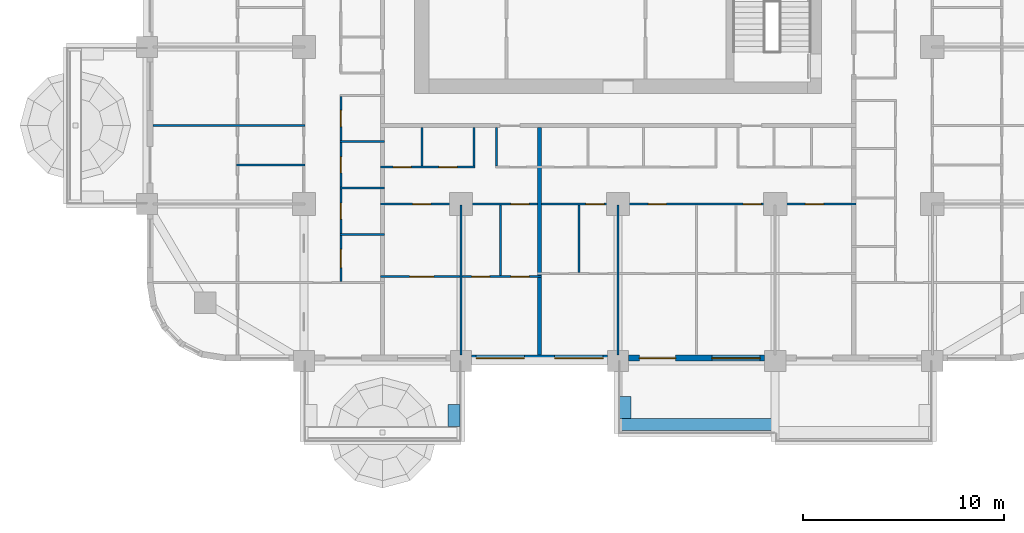
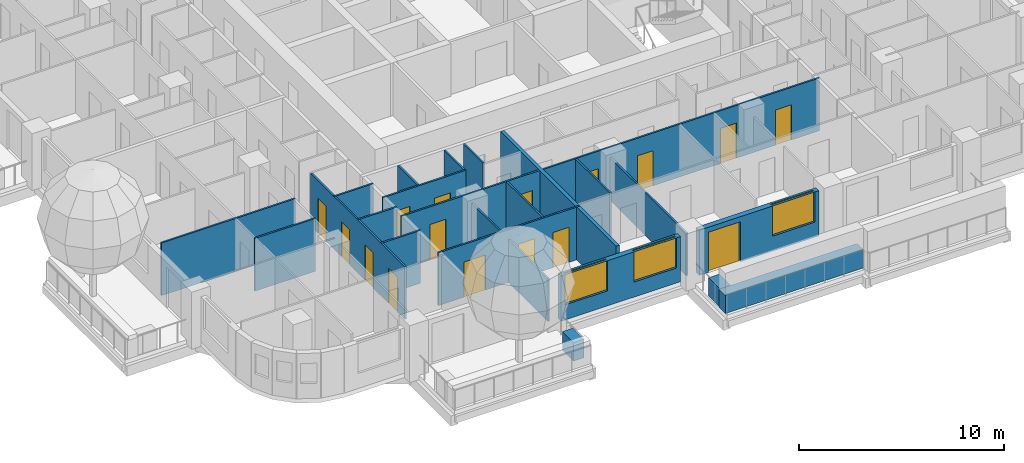
# One storey, part 3 of 19: 22 walls, 16 doors, 3 windows, 19 openings.
"""IFC4 building model written with IfcOpenShell, lengths in metres."""

from ifc_helpers import new_model, si_unit, direction, frame, frame_2d, origin, place, context, subcontext, project, spatial, rectangle, extrude, material, layer, layer_set, type_object, element, fill, save


model = new_model("IFC4")

# Units and contexts
model_context = context("Model", 3, precision=1e-05, world=origin(), true_north=direction((0.0, 1.0)))
body_context = subcontext(model_context, "Body", "Model", "MODEL_VIEW")
ifc_project = project(units=[si_unit("LENGTHUNIT", "METRE"), si_unit("AREAUNIT", "SQUARE_METRE"), si_unit("VOLUMEUNIT", "CUBIC_METRE"), si_unit("PLANEANGLEUNIT", "RADIAN"), si_unit("MASSUNIT", "GRAM", prefix="KILO")], contexts=[model_context])

# Site, building, storey
site_placement = place(None, origin())
site = spatial("IfcSite", under=ifc_project, at=site_placement, CompositionType="ELEMENT")
building_placement = place(site_placement, origin())
building = spatial("IfcBuilding", under=site, at=building_placement, Name="Ludao Terraces", CompositionType="ELEMENT")
storey_placement = place(building_placement, frame((0.0, 0.0, 36.5)))
storey = spatial("IfcBuildingStorey", under=building, at=storey_placement, Name="L09", CompositionType="ELEMENT", Elevation=36.5)

# Walls
ifc_material_1 = material(Name="Concrete C40", Category="concrete")
ifc_layer_1 = layer(ifc_material_1, 0.60009765625)
ifc_layer_set_1 = layer_set([ifc_layer_1], Name="ENV Planter trough 600")
wall_type_1 = type_object("IfcWallType", Name="ENV Planter trough 600", PredefinedType="USERDEFINED", material=ifc_layer_set_1)
wall_1_placement = place(storey_placement, frame((76.85009765625, 38.35009765625, 0.0), z_axis=(0.0, 0.0, 1.0), x_axis=(0.0, 1.0, 0.0)))
element("IfcWall", 1, at=wall_1_placement, inside=storey, type_object=wall_type_1, Name="PL-L09-S1-SB", ObjectType="PLANTER", PredefinedType="USERDEFINED", context=body_context, shape_type="SweptSolid", body=[
    extrude(rectangle(XDim=1.099853515625, YDim=0.60009765625, at=frame_2d((0.5498046875, 0.0))), origin(), (0.0, 0.0, 1.0), 1.10009765625),
])
wall_2_placement = place(storey_placement, frame((85.0, 38.449951171875, 0.0), z_axis=(0.0, 0.0, 1.0), x_axis=(1.0, 0.0, 0.0)))
element("IfcWall", 2, at=wall_2_placement, inside=storey, type_object=wall_type_1, Name="PL-L09-S3", ObjectType="PLANTER", PredefinedType="USERDEFINED", context=body_context, shape_type="SweptSolid", body=[
    extrude(rectangle(XDim=7.800048828125, YDim=0.60009765625, at=frame_2d((3.89990234375, 0.0))), origin(), (0.0, 0.0, 1.0), 1.10009765625),
])
wall_3_placement = place(storey_placement, frame((85.35009765625, 38.75, 0.0), z_axis=(0.0, 0.0, 1.0), x_axis=(0.0, 1.0, 0.0)))
element("IfcWall", 3, at=wall_3_placement, inside=storey, type_object=wall_type_1, Name="PL-L09-S3-SA", ObjectType="PLANTER", PredefinedType="USERDEFINED", context=body_context, shape_type="SweptSolid", body=[
    extrude(rectangle(XDim=1.10009765625, YDim=0.60009765625, at=frame_2d((0.550048828125, 0.0))), origin(), (0.0, 0.0, 1.0), 1.10009765625),
])

# Wall, openings, windows
ifc_material_2 = material(Name="Granite cladding", Category="masonry")
ifc_layer_2 = layer(ifc_material_2, 0.0400390625, Category="stone")
ifc_material_3 = material(Name="Mineral wool")
ifc_layer_3 = layer(ifc_material_3, 0.06005859375)
ifc_layer_4 = layer(ifc_material_1, 0.199951171875, Category="concrete")
ifc_layer_set_2 = layer_set([ifc_layer_2, ifc_layer_3, ifc_layer_4], Name="ENV Stone-clad wall 300")
wall_type_2 = type_object("IfcWallType", Name="ENV Stone-clad wall 300", PredefinedType="SOLIDWALL", material=ifc_layer_set_2)
wall_4_placement = place(storey_placement, frame((77.72509765625, 41.75, 0.0), z_axis=(0.0, 0.0, 1.0), x_axis=(1.0, 0.0, 0.0)))
wall_4 = element("IfcWall", 4, at=wall_4_placement, inside=storey, type_object=wall_type_2, Name="EW-L09-S3", PredefinedType="SOLIDWALL", context=body_context, shape_type="SweptSolid", body=[
    extrude(rectangle(XDim=6.75, YDim=0.300048828125, at=frame_2d((3.375, 0.0))), origin(), (0.0, 0.0, 1.0), 2.699951171875),
])
opening_1_placement = place(wall_4_placement, frame((0.22509765625, 0.0, 0.89990234375)))
opening_1 = element("IfcOpeningElement", 5, at=opening_1_placement, cuts=wall_4, Name="Opening W1", PredefinedType="OPENING", context=body_context, shape_type="SweptSolid", body=[
    extrude(rectangle(XDim=2.39990234375, YDim=1.800048828125, at=frame_2d((1.199951171875, 0.89990234375))), frame((0.0, 0.16015625, 0.0), z_axis=(0.0, -1.0, 0.0), x_axis=(1.0, 0.0, 0.0)), (0.0, 0.0, 1.0), 0.320068359375),
])
opening_2_placement = place(wall_4_placement, frame((4.125, 0.0, 0.89990234375)))
opening_2 = element("IfcOpeningElement", 6, at=opening_2_placement, cuts=wall_4, Name="Opening W1", PredefinedType="OPENING", context=body_context, shape_type="SweptSolid", body=[
    extrude(rectangle(XDim=2.39990234375, YDim=1.800048828125, at=frame_2d((1.199951171875, 0.89990234375))), frame((0.0, 0.16015625, 0.0), z_axis=(0.0, -1.0, 0.0), x_axis=(1.0, 0.0, 0.0)), (0.0, 0.0, 1.0), 0.320068359375),
])
ifc_material_4 = material(Name="Clear glass in aluminium frame", Category="aluminium")
ifc_layer_5 = layer(ifc_material_4, 0.06005859375)
ifc_layer_set_3 = layer_set([ifc_layer_5], Name="ENV Window W1 2400x1800")
window_type = type_object("IfcWindowType", Name="ENV Window W1 2400x1800", PartitioningType="DOUBLE_PANEL_VERTICAL", PredefinedType="WINDOW", material=ifc_layer_set_3)
window_1_placement = place(opening_1_placement, origin())
window_1 = element("IfcWindow", 7, at=window_1_placement, inside=storey, type_object=window_type, Name="W-L09-S3-1", OverallHeight=1.800048828125, OverallWidth=2.39990234375, PartitioningType="DOUBLE_PANEL_VERTICAL", PredefinedType="WINDOW", context=body_context, shape_type="SweptSolid", body=[
    extrude(rectangle(XDim=2.39990234375, YDim=1.800048828125, at=frame_2d((1.199951171875, 0.89990234375))), frame((0.0, 0.030029296875, 0.0), z_axis=(0.0, -1.0, 0.0), x_axis=(1.0, 0.0, 0.0)), (0.0, 0.0, 1.0), 0.06005859375),
])
fill(opening_1, window_1)
window_2_placement = place(opening_2_placement, origin())
window_2 = element("IfcWindow", 8, at=window_2_placement, inside=storey, type_object=window_type, Name="W-L09-S3-2", OverallHeight=1.800048828125, OverallWidth=2.39990234375, PartitioningType="DOUBLE_PANEL_VERTICAL", PredefinedType="WINDOW", context=body_context, shape_type="SweptSolid", body=[
    extrude(rectangle(XDim=2.39990234375, YDim=1.800048828125, at=frame_2d((1.199951171875, 0.89990234375))), frame((0.0, 0.030029296875, 0.0), z_axis=(0.0, -1.0, 0.0), x_axis=(1.0, 0.0, 0.0)), (0.0, 0.0, 1.0), 0.06005859375),
])
fill(opening_2, window_2)

# Wall, openings, door, window
wall_5_placement = place(storey_placement, frame((85.52490234375, 41.75, 0.0), z_axis=(0.0, 0.0, 1.0), x_axis=(1.0, 0.0, 0.0)))
wall_5 = element("IfcWall", 9, at=wall_5_placement, inside=storey, type_object=wall_type_2, Name="EW-L09-S4", PredefinedType="SOLIDWALL", context=body_context, shape_type="SweptSolid", body=[
    extrude(rectangle(XDim=6.75, YDim=0.300048828125, at=frame_2d((3.375, 0.0))), origin(), (0.0, 0.0, 1.0), 2.699951171875),
])
opening_3_placement = place(wall_5_placement, frame((0.52490234375, 0.0, 0.0)))
opening_3 = element("IfcOpeningElement", 10, at=opening_3_placement, cuts=wall_5, Name="Opening BD", PredefinedType="OPENING", context=body_context, shape_type="SweptSolid", body=[
    extrude(rectangle(XDim=1.800048828125, YDim=2.39990234375, at=frame_2d((0.89990234375, 1.199951171875))), frame((0.0, 0.16015625, 0.0), z_axis=(0.0, -1.0, 0.0), x_axis=(1.0, 0.0, 0.0)), (0.0, 0.0, 1.0), 0.320068359375),
])
opening_4_placement = place(wall_5_placement, frame((4.125, 0.0, 0.89990234375)))
opening_4 = element("IfcOpeningElement", 11, at=opening_4_placement, cuts=wall_5, Name="Opening W1", PredefinedType="OPENING", context=body_context, shape_type="SweptSolid", body=[
    extrude(rectangle(XDim=2.39990234375, YDim=1.800048828125, at=frame_2d((1.199951171875, 0.89990234375))), frame((0.0, 0.16015625, 0.0), z_axis=(0.0, -1.0, 0.0), x_axis=(1.0, 0.0, 0.0)), (0.0, 0.0, 1.0), 0.320068359375),
])
ifc_material_5 = material(Name="Aluminium glazed door", Category="aluminium")
ifc_layer_6 = layer(ifc_material_5, 0.06005859375)
ifc_layer_set_4 = layer_set([ifc_layer_6], Name="ENV Balcony door BD 1800x2400")
door_type_1 = type_object("IfcDoorType", Name="ENV Balcony door BD 1800x2400", OperationType="DOUBLE_DOOR_SINGLE_SWING", PredefinedType="DOOR", material=ifc_layer_set_4)
door_1_placement = place(opening_3_placement, origin())
door_1 = element("IfcDoor", 12, at=door_1_placement, inside=storey, type_object=door_type_1, Name="BD-L09-S4-1", OperationType="DOUBLE_DOOR_SINGLE_SWING", OverallHeight=2.39990234375, OverallWidth=1.800048828125, PredefinedType="DOOR", context=body_context, shape_type="SweptSolid", body=[
    extrude(rectangle(XDim=1.800048828125, YDim=2.39990234375, at=frame_2d((0.89990234375, 1.199951171875))), frame((0.0, 0.02490234375, 0.0), z_axis=(0.0, -1.0, 0.0), x_axis=(1.0, 0.0, 0.0)), (0.0, 0.0, 1.0), 0.050048828125),
])
fill(opening_3, door_1)
window_3_placement = place(opening_4_placement, origin())
window_3 = element("IfcWindow", 13, at=window_3_placement, inside=storey, type_object=window_type, Name="W-L09-S4-2", OverallHeight=1.800048828125, OverallWidth=2.39990234375, PartitioningType="DOUBLE_PANEL_VERTICAL", PredefinedType="WINDOW", context=body_context, shape_type="SweptSolid", body=[
    extrude(rectangle(XDim=2.39990234375, YDim=1.800048828125, at=frame_2d((1.199951171875, 0.89990234375))), frame((0.0, 0.030029296875, 0.0), z_axis=(0.0, -1.0, 0.0), x_axis=(1.0, 0.0, 0.0)), (0.0, 0.0, 1.0), 0.06005859375),
])
fill(opening_4, window_3)

# Wall, openings, doors
ifc_material_6 = material(Name="Gypsum plasterboard", Category="gypsum")
ifc_layer_7 = layer(ifc_material_6, 0.012451171875, Category="gypsum")
ifc_layer_8 = layer(ifc_material_3, 0.06005859375, Name="insulation")
ifc_material_7 = material(Name="Steel Q235", Category="steel")
ifc_layer_9 = layer(ifc_material_7, 0.014892578125, Name="stud")
ifc_layer_10 = layer(ifc_material_6, 0.012451171875, Category="gypsum")
ifc_layer_set_5 = layer_set([ifc_layer_7, ifc_layer_8, ifc_layer_9, ifc_layer_10], Name="INT Partition 100")
wall_type_3 = type_object("IfcWallType", Name="INT Partition 100", PredefinedType="PARTITIONING", material=ifc_layer_set_5)
wall_6_placement = place(storey_placement, frame((73.2001953125, 45.800048828125, 0.0), z_axis=(0.0, 0.0, 1.0), x_axis=(1.0, 0.0, 0.0)))
wall_6 = element("IfcWall", 14, at=wall_6_placement, inside=storey, type_object=wall_type_3, Name="PW-L09-PW002", PredefinedType="PARTITIONING", context=body_context, shape_type="SweptSolid", body=[
    extrude(rectangle(XDim=8.0, YDim=0.10009765625, at=frame_2d((4.0, 0.0))), origin(), (0.0, 0.0, 1.0), 3.14990234375),
])
opening_5_placement = place(wall_6_placement, frame((1.449951171875, 0.0, 0.0)))
opening_5 = element("IfcOpeningElement", 15, at=opening_5_placement, cuts=wall_6, Name="Opening R02-007", PredefinedType="OPENING", context=body_context, shape_type="SweptSolid", body=[
    extrude(rectangle(XDim=1.199951171875, YDim=2.10009765625, at=frame_2d((0.60009765625, 1.050048828125))), frame((0.0, 0.06005859375, 0.0), z_axis=(0.0, -1.0, 0.0), x_axis=(1.0, 0.0, 0.0)), (0.0, 0.0, 1.0), 0.1201171875),
])
opening_6_placement = place(wall_6_placement, frame((4.52490234375, 0.0, 0.0)))
opening_6 = element("IfcOpeningElement", 16, at=opening_6_placement, cuts=wall_6, Name="Opening R02-008", PredefinedType="OPENING", context=body_context, shape_type="SweptSolid", body=[
    extrude(rectangle(XDim=0.89990234375, YDim=2.10009765625, at=frame_2d((0.449951171875, 1.050048828125))), frame((0.0, 0.06005859375, 0.0), z_axis=(0.0, -1.0, 0.0), x_axis=(1.0, 0.0, 0.0)), (0.0, 0.0, 1.0), 0.1201171875),
])
opening_7_placement = place(wall_6_placement, frame((6.474853515625, 0.0, 0.0)))
opening_7 = element("IfcOpeningElement", 17, at=opening_7_placement, cuts=wall_6, Name="Opening R02-009", PredefinedType="OPENING", context=body_context, shape_type="SweptSolid", body=[
    extrude(rectangle(XDim=0.89990234375, YDim=2.10009765625, at=frame_2d((0.449951171875, 1.050048828125))), frame((0.0, 0.06005859375, 0.0), z_axis=(0.0, -1.0, 0.0), x_axis=(1.0, 0.0, 0.0)), (0.0, 0.0, 1.0), 0.1201171875),
])
ifc_material_8 = material(Name="Timber door leaf", Category="wood")
door_type_2 = type_object("IfcDoorType", Name="INT Bathroom door 900", OperationType="SINGLE_SWING_LEFT", PredefinedType="DOOR", material=ifc_material_8)
door_2_placement = place(opening_6_placement, origin())
door_2 = element("IfcDoor", 18, at=door_2_placement, inside=storey, type_object=door_type_2, Name="DOOR 008", OperationType="SINGLE_SWING_LEFT", OverallHeight=2.10009765625, OverallWidth=0.89990234375, PredefinedType="DOOR", context=body_context, shape_type="SweptSolid", body=[
    extrude(rectangle(XDim=0.89990234375, YDim=2.10009765625, at=frame_2d((0.449951171875, 1.050048828125))), frame((0.0, 0.02490234375, 0.0), z_axis=(0.0, -1.0, 0.0), x_axis=(1.0, 0.0, 0.0)), (0.0, 0.0, 1.0), 0.050048828125),
])
fill(opening_6, door_2)
door_type_3 = type_object("IfcDoorType", Name="INT Double door 1200", OperationType="DOUBLE_DOOR_SINGLE_SWING", PredefinedType="DOOR", material=ifc_material_8)
door_3_placement = place(opening_5_placement, origin())
door_3 = element("IfcDoor", 19, at=door_3_placement, inside=storey, type_object=door_type_3, Name="DOOR 007", OperationType="DOUBLE_DOOR_SINGLE_SWING", OverallHeight=2.10009765625, OverallWidth=1.199951171875, PredefinedType="DOOR", context=body_context, shape_type="SweptSolid", body=[
    extrude(rectangle(XDim=1.199951171875, YDim=2.10009765625, at=frame_2d((0.60009765625, 1.050048828125))), frame((0.0, 0.02490234375, 0.0), z_axis=(0.0, -1.0, 0.0), x_axis=(1.0, 0.0, 0.0)), (0.0, 0.0, 1.0), 0.050048828125),
])
fill(opening_5, door_3)
door_type_4 = type_object("IfcDoorType", Name="INT Room door 900", OperationType="SINGLE_SWING_LEFT", PredefinedType="DOOR", material=ifc_material_8)
door_4_placement = place(opening_7_placement, origin())
door_4 = element("IfcDoor", 20, at=door_4_placement, inside=storey, type_object=door_type_4, Name="DOOR 009", OperationType="SINGLE_SWING_LEFT", OverallHeight=2.10009765625, OverallWidth=0.89990234375, PredefinedType="DOOR", context=body_context, shape_type="SweptSolid", body=[
    extrude(rectangle(XDim=0.89990234375, YDim=2.10009765625, at=frame_2d((0.449951171875, 1.050048828125))), frame((0.0, 0.02490234375, 0.0), z_axis=(0.0, -1.0, 0.0), x_axis=(1.0, 0.0, 0.0)), (0.0, 0.0, 1.0), 0.050048828125),
])
fill(opening_7, door_4)

# Wall
wall_7_placement = place(storey_placement, frame((71.18017578125, 47.89990234375, 0.0), z_axis=(0.0, 0.0, 1.0), x_axis=(1.0, 0.0, 0.0)))
element("IfcWall", 21, at=wall_7_placement, inside=storey, type_object=wall_type_3, Name="PW-L09-PW005", PredefinedType="PARTITIONING", context=body_context, shape_type="SweptSolid", body=[
    extrude(rectangle(XDim=2.219970703125, YDim=0.10009765625, at=frame_2d((1.10986328125, 0.0))), origin(), (0.0, 0.0, 1.0), 3.14990234375),
])

# Wall, openings, doors
wall_8_placement = place(storey_placement, frame((73.2001953125, 49.39990234375, 0.0), z_axis=(0.0, 0.0, 1.0), x_axis=(1.0, 0.0, 0.0)))
wall_8 = element("IfcWall", 22, at=wall_8_placement, inside=storey, type_object=wall_type_3, Name="PW-L09-PW007", PredefinedType="PARTITIONING", context=body_context, shape_type="SweptSolid", body=[
    extrude(rectangle(XDim=23.599853515625, YDim=0.10009765625, at=frame_2d((11.7998046875, 0.0))), origin(), (0.0, 0.0, 1.0), 3.14990234375),
])
opening_8_placement = place(wall_8_placement, frame((1.599853515625, 0.0, 0.0)))
opening_8 = element("IfcOpeningElement", 23, at=opening_8_placement, cuts=wall_8, Name="Opening R02-024", PredefinedType="OPENING", context=body_context, shape_type="SweptSolid", body=[
    extrude(rectangle(XDim=0.89990234375, YDim=2.10009765625, at=frame_2d((0.449951171875, 1.050048828125))), frame((0.0, 0.06005859375, 0.0), z_axis=(0.0, -1.0, 0.0), x_axis=(1.0, 0.0, 0.0)), (0.0, 0.0, 1.0), 0.1201171875),
])
opening_9_placement = place(wall_8_placement, frame((6.474853515625, 0.0, 0.0)))
opening_9 = element("IfcOpeningElement", 24, at=opening_9_placement, cuts=wall_8, Name="Opening R02-025", PredefinedType="OPENING", context=body_context, shape_type="SweptSolid", body=[
    extrude(rectangle(XDim=0.89990234375, YDim=2.10009765625, at=frame_2d((0.449951171875, 1.050048828125))), frame((0.0, 0.06005859375, 0.0), z_axis=(0.0, -1.0, 0.0), x_axis=(1.0, 0.0, 0.0)), (0.0, 0.0, 1.0), 0.1201171875),
])
opening_10_placement = place(wall_8_placement, frame((10.199951171875, 0.0, 0.0)))
opening_10 = element("IfcOpeningElement", 25, at=opening_10_placement, cuts=wall_8, Name="Opening R02-026", PredefinedType="OPENING", context=body_context, shape_type="SweptSolid", body=[
    extrude(rectangle(XDim=0.89990234375, YDim=2.10009765625, at=frame_2d((0.449951171875, 1.050048828125))), frame((0.0, 0.06005859375, 0.0), z_axis=(0.0, -1.0, 0.0), x_axis=(1.0, 0.0, 0.0)), (0.0, 0.0, 1.0), 0.1201171875),
])
opening_11_placement = place(wall_8_placement, frame((13.2998046875, 0.0, 0.0)))
opening_11 = element("IfcOpeningElement", 26, at=opening_11_placement, cuts=wall_8, Name="Opening R02-027", PredefinedType="OPENING", context=body_context, shape_type="SweptSolid", body=[
    extrude(rectangle(XDim=0.89990234375, YDim=2.10009765625, at=frame_2d((0.449951171875, 1.050048828125))), frame((0.0, 0.06005859375, 0.0), z_axis=(0.0, -1.0, 0.0), x_axis=(1.0, 0.0, 0.0)), (0.0, 0.0, 1.0), 0.1201171875),
])
opening_12_placement = place(wall_8_placement, frame((18.0, 0.0, 0.0)))
opening_12 = element("IfcOpeningElement", 27, at=opening_12_placement, cuts=wall_8, Name="Opening R02-028", PredefinedType="OPENING", context=body_context, shape_type="SweptSolid", body=[
    extrude(rectangle(XDim=0.89990234375, YDim=2.10009765625, at=frame_2d((0.449951171875, 1.050048828125))), frame((0.0, 0.06005859375, 0.0), z_axis=(0.0, -1.0, 0.0), x_axis=(1.0, 0.0, 0.0)), (0.0, 0.0, 1.0), 0.1201171875),
])
opening_13_placement = place(wall_8_placement, frame((21.099853515625, 0.0, 0.0)))
opening_13 = element("IfcOpeningElement", 28, at=opening_13_placement, cuts=wall_8, Name="Opening R02-029", PredefinedType="OPENING", context=body_context, shape_type="SweptSolid", body=[
    extrude(rectangle(XDim=0.89990234375, YDim=2.10009765625, at=frame_2d((0.449951171875, 1.050048828125))), frame((0.0, 0.06005859375, 0.0), z_axis=(0.0, -1.0, 0.0), x_axis=(1.0, 0.0, 0.0)), (0.0, 0.0, 1.0), 0.1201171875),
])
door_5_placement = place(opening_8_placement, origin())
door_5 = element("IfcDoor", 29, at=door_5_placement, inside=storey, type_object=door_type_4, Name="DOOR 024", OperationType="SINGLE_SWING_RIGHT", OverallHeight=2.10009765625, OverallWidth=0.89990234375, PredefinedType="DOOR", context=body_context, shape_type="SweptSolid", body=[
    extrude(rectangle(XDim=0.89990234375, YDim=2.10009765625, at=frame_2d((0.449951171875, 1.050048828125))), frame((0.0, 0.02490234375, 0.0), z_axis=(0.0, -1.0, 0.0), x_axis=(1.0, 0.0, 0.0)), (0.0, 0.0, 1.0), 0.050048828125),
])
fill(opening_8, door_5)
door_6_placement = place(opening_9_placement, origin())
door_6 = element("IfcDoor", 30, at=door_6_placement, inside=storey, type_object=door_type_4, Name="DOOR 025", OperationType="SINGLE_SWING_LEFT", OverallHeight=2.10009765625, OverallWidth=0.89990234375, PredefinedType="DOOR", context=body_context, shape_type="SweptSolid", body=[
    extrude(rectangle(XDim=0.89990234375, YDim=2.10009765625, at=frame_2d((0.449951171875, 1.050048828125))), frame((0.0, 0.02490234375, 0.0), z_axis=(0.0, -1.0, 0.0), x_axis=(1.0, 0.0, 0.0)), (0.0, 0.0, 1.0), 0.050048828125),
])
fill(opening_9, door_6)
door_7_placement = place(opening_10_placement, origin())
door_7 = element("IfcDoor", 31, at=door_7_placement, inside=storey, type_object=door_type_4, Name="DOOR 026", OperationType="SINGLE_SWING_RIGHT", OverallHeight=2.10009765625, OverallWidth=0.89990234375, PredefinedType="DOOR", context=body_context, shape_type="SweptSolid", body=[
    extrude(rectangle(XDim=0.89990234375, YDim=2.10009765625, at=frame_2d((0.449951171875, 1.050048828125))), frame((0.0, 0.02490234375, 0.0), z_axis=(0.0, -1.0, 0.0), x_axis=(1.0, 0.0, 0.0)), (0.0, 0.0, 1.0), 0.050048828125),
])
fill(opening_10, door_7)
door_8_placement = place(opening_11_placement, origin())
door_8 = element("IfcDoor", 32, at=door_8_placement, inside=storey, type_object=door_type_4, Name="DOOR 027", OperationType="SINGLE_SWING_LEFT", OverallHeight=2.10009765625, OverallWidth=0.89990234375, PredefinedType="DOOR", context=body_context, shape_type="SweptSolid", body=[
    extrude(rectangle(XDim=0.89990234375, YDim=2.10009765625, at=frame_2d((0.449951171875, 1.050048828125))), frame((0.0, 0.02490234375, 0.0), z_axis=(0.0, -1.0, 0.0), x_axis=(1.0, 0.0, 0.0)), (0.0, 0.0, 1.0), 0.050048828125),
])
fill(opening_11, door_8)
door_9_placement = place(opening_12_placement, origin())
door_9 = element("IfcDoor", 33, at=door_9_placement, inside=storey, type_object=door_type_4, Name="DOOR 028", OperationType="SINGLE_SWING_RIGHT", OverallHeight=2.10009765625, OverallWidth=0.89990234375, PredefinedType="DOOR", context=body_context, shape_type="SweptSolid", body=[
    extrude(rectangle(XDim=0.89990234375, YDim=2.10009765625, at=frame_2d((0.449951171875, 1.050048828125))), frame((0.0, 0.02490234375, 0.0), z_axis=(0.0, -1.0, 0.0), x_axis=(1.0, 0.0, 0.0)), (0.0, 0.0, 1.0), 0.050048828125),
])
fill(opening_12, door_9)
door_10_placement = place(opening_13_placement, origin())
door_10 = element("IfcDoor", 34, at=door_10_placement, inside=storey, type_object=door_type_4, Name="DOOR 029", OperationType="SINGLE_SWING_RIGHT", OverallHeight=2.10009765625, OverallWidth=0.89990234375, PredefinedType="DOOR", context=body_context, shape_type="SweptSolid", body=[
    extrude(rectangle(XDim=0.89990234375, YDim=2.10009765625, at=frame_2d((0.449951171875, 1.050048828125))), frame((0.0, 0.02490234375, 0.0), z_axis=(0.0, -1.0, 0.0), x_axis=(1.0, 0.0, 0.0)), (0.0, 0.0, 1.0), 0.050048828125),
])
fill(opening_13, door_10)

# Wall
wall_9_placement = place(storey_placement, frame((71.18017578125, 50.199951171875, 0.0), z_axis=(0.0, 0.0, 1.0), x_axis=(1.0, 0.0, 0.0)))
element("IfcWall", 35, at=wall_9_placement, inside=storey, type_object=wall_type_3, Name="PW-L09-PW010", PredefinedType="PARTITIONING", context=body_context, shape_type="SweptSolid", body=[
    extrude(rectangle(XDim=2.219970703125, YDim=0.10009765625, at=frame_2d((1.10986328125, 0.0))), origin(), (0.0, 0.0, 1.0), 3.14990234375),
])

# Wall, openings, doors
wall_10_placement = place(storey_placement, frame((73.2001953125, 51.22998046875, 0.0), z_axis=(0.0, 0.0, 1.0), x_axis=(1.0, 0.0, 0.0)))
wall_10 = element("IfcWall", 36, at=wall_10_placement, inside=storey, type_object=wall_type_3, Name="PW-L09-PW011", PredefinedType="PARTITIONING", context=body_context, shape_type="SweptSolid", body=[
    extrude(rectangle(XDim=4.699951171875, YDim=0.10009765625, at=frame_2d((2.35009765625, 0.0))), origin(), (0.0, 0.0, 1.0), 3.14990234375),
])
opening_14_placement = place(wall_10_placement, frame((0.625, 0.0, 0.0)))
opening_14 = element("IfcOpeningElement", 37, at=opening_14_placement, cuts=wall_10, Name="Opening R02-033", PredefinedType="OPENING", context=body_context, shape_type="SweptSolid", body=[
    extrude(rectangle(XDim=0.89990234375, YDim=2.10009765625, at=frame_2d((0.449951171875, 1.050048828125))), frame((0.0, 0.06005859375, 0.0), z_axis=(0.0, -1.0, 0.0), x_axis=(1.0, 0.0, 0.0)), (0.0, 0.0, 1.0), 0.1201171875),
])
opening_15_placement = place(wall_10_placement, frame((2.89990234375, 0.0, 0.0)))
opening_15 = element("IfcOpeningElement", 38, at=opening_15_placement, cuts=wall_10, Name="Opening R02-034", PredefinedType="OPENING", context=body_context, shape_type="SweptSolid", body=[
    extrude(rectangle(XDim=0.89990234375, YDim=2.10009765625, at=frame_2d((0.449951171875, 1.050048828125))), frame((0.0, 0.06005859375, 0.0), z_axis=(0.0, -1.0, 0.0), x_axis=(1.0, 0.0, 0.0)), (0.0, 0.0, 1.0), 0.1201171875),
])
door_11_placement = place(opening_14_placement, origin())
door_11 = element("IfcDoor", 39, at=door_11_placement, inside=storey, type_object=door_type_2, Name="DOOR 033", OperationType="SINGLE_SWING_LEFT", OverallHeight=2.10009765625, OverallWidth=0.89990234375, PredefinedType="DOOR", context=body_context, shape_type="SweptSolid", body=[
    extrude(rectangle(XDim=0.89990234375, YDim=2.10009765625, at=frame_2d((0.449951171875, 1.050048828125))), frame((0.0, 0.02490234375, 0.0), z_axis=(0.0, -1.0, 0.0), x_axis=(1.0, 0.0, 0.0)), (0.0, 0.0, 1.0), 0.050048828125),
])
fill(opening_14, door_11)
door_12_placement = place(opening_15_placement, origin())
door_12 = element("IfcDoor", 40, at=door_12_placement, inside=storey, type_object=door_type_4, Name="DOOR 034", OperationType="SINGLE_SWING_RIGHT", OverallHeight=2.10009765625, OverallWidth=0.89990234375, PredefinedType="DOOR", context=body_context, shape_type="SweptSolid", body=[
    extrude(rectangle(XDim=0.89990234375, YDim=2.10009765625, at=frame_2d((0.449951171875, 1.050048828125))), frame((0.0, 0.02490234375, 0.0), z_axis=(0.0, -1.0, 0.0), x_axis=(1.0, 0.0, 0.0)), (0.0, 0.0, 1.0), 0.050048828125),
])
fill(opening_15, door_12)

# Walls
wall_11_placement = place(storey_placement, frame((66.050048828125, 51.35009765625, 0.0), z_axis=(0.0, 0.0, 1.0), x_axis=(1.0, 0.0, 0.0)))
element("IfcWall", 41, at=wall_11_placement, inside=storey, type_object=wall_type_3, Name="PW-L09-PW014", PredefinedType="PARTITIONING", context=body_context, shape_type="SweptSolid", body=[
    extrude(rectangle(XDim=3.400146484375, YDim=0.10009765625, at=frame_2d((1.7001953125, 0.0))), origin(), (0.0, 0.0, 1.0), 3.14990234375),
])
wall_12_placement = place(storey_placement, frame((71.18017578125, 52.5, 0.0), z_axis=(0.0, 0.0, 1.0), x_axis=(1.0, 0.0, 0.0)))
element("IfcWall", 42, at=wall_12_placement, inside=storey, type_object=wall_type_3, Name="PW-L09-PW017", PredefinedType="PARTITIONING", context=body_context, shape_type="SweptSolid", body=[
    extrude(rectangle(XDim=2.219970703125, YDim=0.10009765625, at=frame_2d((1.10986328125, 0.0))), origin(), (0.0, 0.0, 1.0), 3.14990234375),
])
wall_13_placement = place(storey_placement, frame((61.900146484375, 53.300048828125, 0.0), z_axis=(0.0, 0.0, 1.0), x_axis=(1.0, 0.0, 0.0)))
element("IfcWall", 43, at=wall_13_placement, inside=storey, type_object=wall_type_3, Name="PW-L09-PW018", PredefinedType="PARTITIONING", context=body_context, shape_type="SweptSolid", body=[
    extrude(rectangle(XDim=7.550048828125, YDim=0.10009765625, at=frame_2d((3.77490234375, 0.0))), origin(), (0.0, 0.0, 1.0), 3.14990234375),
])

# Wall, openings, doors
wall_14_placement = place(storey_placement, frame((71.22998046875, 45.550048828125, 0.0), z_axis=(0.0, 0.0, 1.0), x_axis=(0.0, 1.0, 0.0)))
wall_14 = element("IfcWall", 44, at=wall_14_placement, inside=storey, type_object=wall_type_3, Name="PW-L09-PW084", PredefinedType="PARTITIONING", context=body_context, shape_type="SweptSolid", body=[
    extrude(rectangle(XDim=9.199951171875, YDim=0.10009765625, at=frame_2d((4.60009765625, 0.0))), origin(), (0.0, 0.0, 1.0), 3.14990234375),
])
opening_16_placement = place(wall_14_placement, frame((0.699951171875, 0.0, 0.0)))
opening_16 = element("IfcOpeningElement", 45, at=opening_16_placement, cuts=wall_14, Name="Opening R02-017", PredefinedType="OPENING", context=body_context, shape_type="SweptSolid", body=[
    extrude(rectangle(XDim=0.89990234375, YDim=2.10009765625, at=frame_2d((0.449951171875, 1.050048828125))), frame((0.0, 0.06005859375, 0.0), z_axis=(0.0, -1.0, 0.0), x_axis=(1.0, 0.0, 0.0)), (0.0, 0.0, 1.0), 0.1201171875),
])
opening_17_placement = place(wall_14_placement, frame((3.10009765625, 0.0, 0.0)))
opening_17 = element("IfcOpeningElement", 46, at=opening_17_placement, cuts=wall_14, Name="Opening R02-023", PredefinedType="OPENING", context=body_context, shape_type="SweptSolid", body=[
    extrude(rectangle(XDim=0.800048828125, YDim=2.10009765625, at=frame_2d((0.39990234375, 1.050048828125))), frame((0.0, 0.06005859375, 0.0), z_axis=(0.0, -1.0, 0.0), x_axis=(1.0, 0.0, 0.0)), (0.0, 0.0, 1.0), 0.1201171875),
])
opening_18_placement = place(wall_14_placement, frame((5.39990234375, 0.0, 0.0)))
opening_18 = element("IfcOpeningElement", 47, at=opening_18_placement, cuts=wall_14, Name="Opening R02-042", PredefinedType="OPENING", context=body_context, shape_type="SweptSolid", body=[
    extrude(rectangle(XDim=0.800048828125, YDim=2.10009765625, at=frame_2d((0.39990234375, 1.050048828125))), frame((0.0, 0.06005859375, 0.0), z_axis=(0.0, -1.0, 0.0), x_axis=(1.0, 0.0, 0.0)), (0.0, 0.0, 1.0), 0.1201171875),
])
opening_19_placement = place(wall_14_placement, frame((7.699951171875, 0.0, 0.0)))
opening_19 = element("IfcOpeningElement", 48, at=opening_19_placement, cuts=wall_14, Name="Opening R02-050", PredefinedType="OPENING", context=body_context, shape_type="SweptSolid", body=[
    extrude(rectangle(XDim=0.800048828125, YDim=2.10009765625, at=frame_2d((0.39990234375, 1.050048828125))), frame((0.0, 0.06005859375, 0.0), z_axis=(0.0, -1.0, 0.0), x_axis=(1.0, 0.0, 0.0)), (0.0, 0.0, 1.0), 0.1201171875),
])
door_13_placement = place(opening_16_placement, origin())
door_13 = element("IfcDoor", 49, at=door_13_placement, inside=storey, type_object=door_type_2, Name="DOOR 017", OperationType="SINGLE_SWING_LEFT", OverallHeight=2.10009765625, OverallWidth=0.89990234375, PredefinedType="DOOR", context=body_context, shape_type="SweptSolid", body=[
    extrude(rectangle(XDim=0.89990234375, YDim=2.10009765625, at=frame_2d((0.449951171875, 1.050048828125))), frame((0.0, 0.02490234375, 0.0), z_axis=(0.0, -1.0, 0.0), x_axis=(1.0, 0.0, 0.0)), (0.0, 0.0, 1.0), 0.050048828125),
])
fill(opening_16, door_13)
door_type_5 = type_object("IfcDoorType", Name="INT Store door 800", OperationType="SINGLE_SWING_LEFT", PredefinedType="DOOR", material=ifc_material_8)
door_14_placement = place(opening_17_placement, origin())
door_14 = element("IfcDoor", 50, at=door_14_placement, inside=storey, type_object=door_type_5, Name="DOOR 023", OperationType="SINGLE_SWING_RIGHT", OverallHeight=2.10009765625, OverallWidth=0.800048828125, PredefinedType="DOOR", context=body_context, shape_type="SweptSolid", body=[
    extrude(rectangle(XDim=0.800048828125, YDim=2.10009765625, at=frame_2d((0.39990234375, 1.050048828125))), frame((0.0, 0.02490234375, 0.0), z_axis=(0.0, -1.0, 0.0), x_axis=(1.0, 0.0, 0.0)), (0.0, 0.0, 1.0), 0.050048828125),
])
fill(opening_17, door_14)
door_15_placement = place(opening_18_placement, origin())
door_15 = element("IfcDoor", 51, at=door_15_placement, inside=storey, type_object=door_type_5, Name="DOOR 042", OperationType="SINGLE_SWING_LEFT", OverallHeight=2.10009765625, OverallWidth=0.800048828125, PredefinedType="DOOR", context=body_context, shape_type="SweptSolid", body=[
    extrude(rectangle(XDim=0.800048828125, YDim=2.10009765625, at=frame_2d((0.39990234375, 1.050048828125))), frame((0.0, 0.02490234375, 0.0), z_axis=(0.0, -1.0, 0.0), x_axis=(1.0, 0.0, 0.0)), (0.0, 0.0, 1.0), 0.050048828125),
])
fill(opening_18, door_15)
door_16_placement = place(opening_19_placement, origin())
door_16 = element("IfcDoor", 52, at=door_16_placement, inside=storey, type_object=door_type_5, Name="DOOR 050", OperationType="SINGLE_SWING_RIGHT", OverallHeight=2.10009765625, OverallWidth=0.800048828125, PredefinedType="DOOR", context=body_context, shape_type="SweptSolid", body=[
    extrude(rectangle(XDim=0.800048828125, YDim=2.10009765625, at=frame_2d((0.39990234375, 1.050048828125))), frame((0.0, 0.02490234375, 0.0), z_axis=(0.0, -1.0, 0.0), x_axis=(1.0, 0.0, 0.0)), (0.0, 0.0, 1.0), 0.050048828125),
])
fill(opening_19, door_16)

# Walls
wall_15_placement = place(storey_placement, frame((75.25, 51.280029296875, 0.0), z_axis=(0.0, 0.0, 1.0), x_axis=(0.0, 1.0, 0.0)))
element("IfcWall", 53, at=wall_15_placement, inside=storey, type_object=wall_type_3, Name="PW-L09-PW091", PredefinedType="PARTITIONING", context=body_context, shape_type="SweptSolid", body=[
    extrude(rectangle(XDim=1.920166015625, YDim=0.10009765625, at=frame_2d((0.9599609375, 0.0))), origin(), (0.0, 0.0, 1.0), 3.14990234375),
])
wall_16_placement = place(storey_placement, frame((77.199951171875, 41.900146484375, 0.0), z_axis=(0.0, 0.0, 1.0), x_axis=(0.0, 1.0, 0.0)))
element("IfcWall", 54, at=wall_16_placement, inside=storey, type_object=wall_type_3, Name="PW-L09-PW092", PredefinedType="PARTITIONING", context=body_context, shape_type="SweptSolid", body=[
    extrude(rectangle(XDim=7.449951171875, YDim=0.10009765625, at=frame_2d((3.72509765625, 0.0))), origin(), (0.0, 0.0, 1.0), 2.550048828125),
])
for number, where, z_axis, x_axis, name in (
    (55, (77.85009765625, 51.280029296875, 0.0), (0.0, 0.0, 1.0), (0.0, 1.0, 0.0), "PW-L09-PW094"),
    (56, (78.949951171875, 51.280029296875, 0.0), (0.0, 0.0, 1.0), (0.0, 1.0, 0.0), "PW-L09-PW095"),
):
    element("IfcWall", number, at=place(storey_placement, frame(where, z_axis=z_axis, x_axis=x_axis)), inside=storey, type_object=wall_type_3, Name=name, PredefinedType="PARTITIONING", context=body_context, shape_type="SweptSolid", body=[
        extrude(rectangle(XDim=1.920166015625, YDim=0.10009765625, at=frame_2d((0.9599609375, 0.0))), origin(), (0.0, 0.0, 1.0), 3.14990234375),
    ])
wall_17_placement = place(storey_placement, frame((79.14990234375, 45.85009765625, 0.0), z_axis=(0.0, 0.0, 1.0), x_axis=(0.0, 1.0, 0.0)))
element("IfcWall", 57, at=wall_17_placement, inside=storey, type_object=wall_type_3, Name="PW-L09-PW096", PredefinedType="PARTITIONING", context=body_context, shape_type="SweptSolid", body=[
    extrude(rectangle(XDim=3.5, YDim=0.10009765625, at=frame_2d((1.75, 0.0))), origin(), (0.0, 0.0, 1.0), 3.14990234375),
])
wall_18_placement = place(storey_placement, frame((83.050048828125, 46.0, 0.0), z_axis=(0.0, 0.0, 1.0), x_axis=(0.0, 1.0, 0.0)))
element("IfcWall", 58, at=wall_18_placement, inside=storey, type_object=wall_type_3, Name="PW-L09-PW100", PredefinedType="PARTITIONING", context=body_context, shape_type="SweptSolid", body=[
    extrude(rectangle(XDim=3.35009765625, YDim=0.10009765625, at=frame_2d((1.675048828125, 0.0))), origin(), (0.0, 0.0, 1.0), 3.14990234375),
])
wall_19_placement = place(storey_placement, frame((85.0, 41.900146484375, 0.0), z_axis=(0.0, 0.0, 1.0), x_axis=(0.0, 1.0, 0.0)))
element("IfcWall", 59, at=wall_19_placement, inside=storey, type_object=wall_type_3, Name="PW-L09-PW102", PredefinedType="PARTITIONING", context=body_context, shape_type="SweptSolid", body=[
    extrude(rectangle(XDim=7.449951171875, YDim=0.10009765625, at=frame_2d((3.72509765625, 0.0))), origin(), (0.0, 0.0, 1.0), 2.550048828125),
])
ifc_material_9 = material(Name="Autoclaved aerated concrete block B06 A3.5", Category="concrete")
ifc_layer_11 = layer(ifc_material_9, 0.199951171875)
ifc_layer_set_6 = layer_set([ifc_layer_11], Name="INT Party wall 200")
wall_type_4 = type_object("IfcWallType", Name="INT Party wall 200", PredefinedType="PARTITIONING", material=ifc_layer_set_6)
wall_20_placement = place(storey_placement, frame((81.10009765625, 41.900146484375, 0.0), z_axis=(0.0, 0.0, 1.0), x_axis=(0.0, 1.0, 0.0)))
element("IfcWall", 60, at=wall_20_placement, inside=storey, type_object=wall_type_4, Name="PW-L09-PW098", PredefinedType="PARTITIONING", context=body_context, shape_type="SweptSolid", body=[
    extrude(rectangle(XDim=11.300048828125, YDim=0.199951171875, at=frame_2d((5.64990234375, 0.0))), origin(), (0.0, 0.0, 1.0), 3.14990234375),
])

save(model, "model.ifc")
